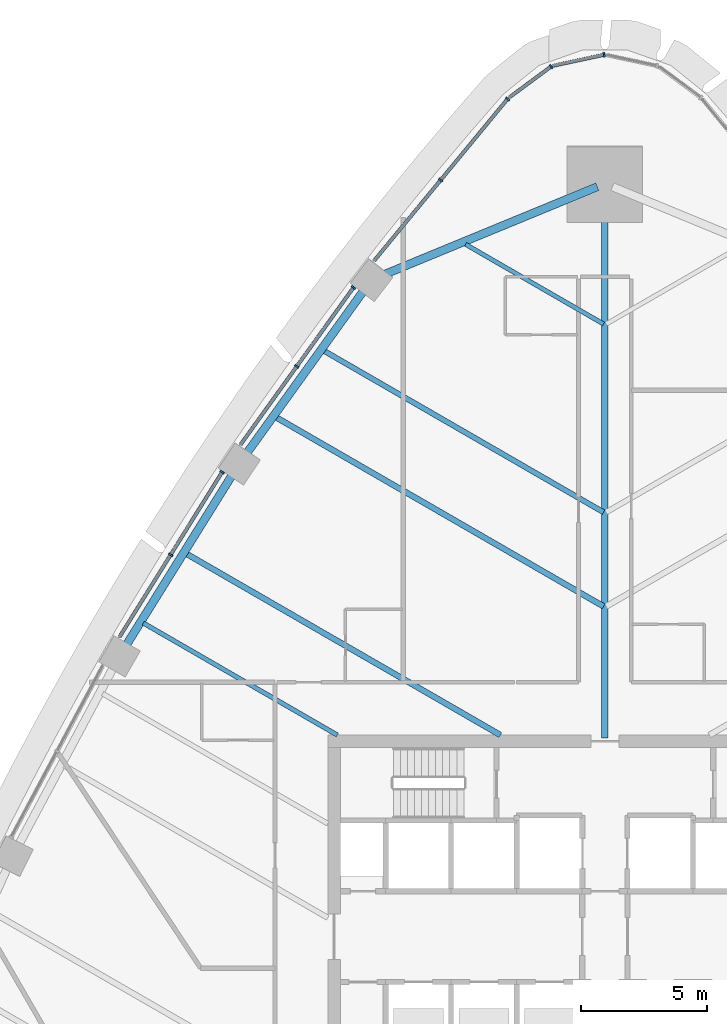
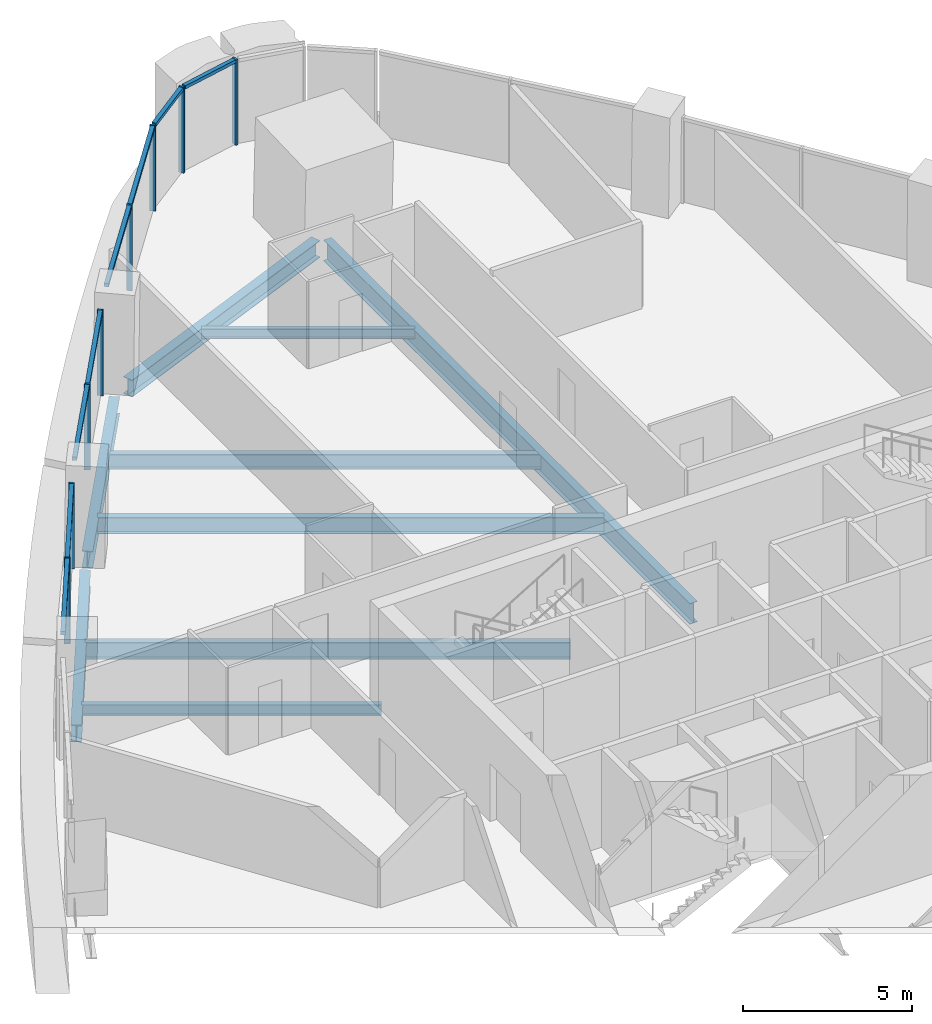
# One storey, part 6 of 17: 16 members, 9 beams, 5 elements without a shape of their own.
"""IFC4 building model written with IfcOpenShell, lengths in metres."""

from ifc_helpers import new_model, si_unit, direction, frame, origin, origin_2d, place, context, subcontext, project, spatial, rectangle, i_section, extrude, material, layer, layer_set, material_profile, profile_set, type_object, element, aggregate, save


model = new_model("IFC4")

# Units and contexts
model_context = context("Model", 3, precision=1e-05, world=origin(), true_north=direction((0.0, 1.0)))
body_context = subcontext(model_context, "Body", "Model", "MODEL_VIEW")
ifc_project = project(units=[si_unit("LENGTHUNIT", "METRE"), si_unit("AREAUNIT", "SQUARE_METRE"), si_unit("VOLUMEUNIT", "CUBIC_METRE"), si_unit("PLANEANGLEUNIT", "RADIAN"), si_unit("MASSUNIT", "GRAM", prefix="KILO")], contexts=[model_context])

# Site, building, storey
site_placement = place(None, origin())
site = spatial("IfcSite", under=ifc_project, at=site_placement, CompositionType="ELEMENT")
building_placement = place(site_placement, origin())
building = spatial("IfcBuilding", under=site, at=building_placement, Name="Sierra Prisma Convention Tower", CompositionType="ELEMENT")
storey_placement = place(building_placement, frame((0.0, 0.0, 92.39990234375)))
storey = spatial("IfcBuildingStorey", under=building, at=storey_placement, Name="L19", CompositionType="ELEMENT", Elevation=92.39990234375)

# Curtain wall, member
ifc_material_1 = material(Name="Aluminium and glass curtain wall", Category="aluminium")
ifc_layer = layer(ifc_material_1, 0.179931640625)
ifc_layer_set = layer_set([ifc_layer], Name="CW-1 Plain shaft curtain wall")
curtain_wall_type = type_object("IfcCurtainWallType", Name="CW-1 Plain shaft curtain wall", PredefinedType="NOTDEFINED", material=ifc_layer_set)
curtain_wall_1_placement = place(storey_placement, origin())
curtain_wall_1 = element("IfcCurtainWall", 1, at=curtain_wall_1_placement, inside=storey, type_object=curtain_wall_type, Name="CW-1 N3 L19", PredefinedType="NOTDEFINED")
ifc_material_2 = material(Name="Aluminium 6063-T6 bronze anodised", Category="aluminium")
ifc_material_profile_1 = material_profile(ifc_material_2, rectangle(XDim=0.179931640625, YDim=0.070068359375, at=origin_2d()), Name="ALU MULLION 70x180")
ifc_profile_set_1 = profile_set([ifc_material_profile_1], Name="Aluminium 6063-T6 bronze anodised")
member_type_1 = type_object("IfcMemberType", Name="CW mullion bronze", PredefinedType="MULLION", material=ifc_profile_set_1)
member_1_placement = place(storey_placement, frame((-0.0341796875, 35.00341796875, 0.0), z_axis=(0.0, 0.0, 1.0), x_axis=(0.210360394745, -0.977623907401, 0.0)))
member_1 = element("IfcMember", 2, at=member_1_placement, type_object=member_type_1, Name="CW-1 mullion N3.1", PredefinedType="MULLION", context=body_context, shape_type="SweptSolid", body=[
    extrude(rectangle(XDim=0.179931640625, YDim=0.070068359375, at=origin_2d()), origin(), (0.0, 0.0, 1.0), 3.10009765625),
])

curtain_wall_2_placement = place(storey_placement, origin())
curtain_wall_2 = element("IfcCurtainWall", 3, at=curtain_wall_2_placement, inside=storey, type_object=curtain_wall_type, Name="CW-1 N4 L19", PredefinedType="NOTDEFINED")
member_2_placement = place(storey_placement, frame((-2.134521484375, 34.53662109375, 0.0), z_axis=(0.0, 0.0, 1.0), x_axis=(0.593846135826, -0.804578626963, 0.0)))
member_2 = element("IfcMember", 4, at=member_2_placement, type_object=member_type_1, Name="CW-1 mullion N4.1", PredefinedType="MULLION", context=body_context, shape_type="SweptSolid", body=[
    extrude(rectangle(XDim=0.179931640625, YDim=0.070068359375, at=origin_2d()), origin(), (0.0, 0.0, 1.0), 3.10009765625),
])

# Curtain wall, members
curtain_wall_3_placement = place(storey_placement, origin())
curtain_wall_3 = element("IfcCurtainWall", 5, at=curtain_wall_3_placement, inside=storey, type_object=curtain_wall_type, Name="CW-1 NW1 L19", PredefinedType="NOTDEFINED")
member_3_placement = place(storey_placement, frame((-3.8623046875, 33.2509765625, 0.0), z_axis=(0.0, 0.0, 1.0), x_axis=(0.771382997346, -0.636371174241, 0.0)))
member_3 = element("IfcMember", 6, at=member_3_placement, type_object=member_type_1, Name="CW-1 mullion NW1.1", PredefinedType="MULLION", context=body_context, shape_type="SweptSolid", body=[
    extrude(rectangle(XDim=0.179931640625, YDim=0.070068359375, at=origin_2d()), origin(), (0.0, 0.0, 1.0), 3.10009765625),
])
member_4_placement = place(storey_placement, frame((-6.520751953125, 30.028564453125, 0.0), z_axis=(0.0, 0.0, 1.0), x_axis=(0.771382997346, -0.636371174241, 0.0)))
member_4 = element("IfcMember", 7, at=member_4_placement, type_object=member_type_1, Name="CW-1 mullion NW1.2", PredefinedType="MULLION", context=body_context, shape_type="SweptSolid", body=[
    extrude(rectangle(XDim=0.179931640625, YDim=0.070068359375, at=origin_2d()), origin(), (0.0, 0.0, 1.0), 3.10009765625),
])

curtain_wall_4_placement = place(storey_placement, origin())
curtain_wall_4 = element("IfcCurtainWall", 8, at=curtain_wall_4_placement, inside=storey, type_object=curtain_wall_type, Name="CW-1 NW2 L19", PredefinedType="NOTDEFINED")
member_5_placement = place(storey_placement, frame((-9.980224609375, 25.76416015625, 0.0), z_axis=(0.0, 0.0, 1.0), x_axis=(0.811950557118, -0.583726213902, 0.0)))
member_5 = element("IfcMember", 9, at=member_5_placement, type_object=member_type_1, Name="CW-1 mullion NW2.1", PredefinedType="MULLION", context=body_context, shape_type="SweptSolid", body=[
    extrude(rectangle(XDim=0.179931640625, YDim=0.070068359375, at=origin_2d()), origin(), (0.0, 0.0, 1.0), 3.10009765625),
])
member_6_placement = place(storey_placement, frame((-12.230224609375, 22.634521484375, 0.0), z_axis=(0.0, 0.0, 1.0), x_axis=(0.811950557118, -0.583726213902, 0.0)))
member_6 = element("IfcMember", 10, at=member_6_placement, type_object=member_type_1, Name="CW-1 mullion NW2.2", PredefinedType="MULLION", context=body_context, shape_type="SweptSolid", body=[
    extrude(rectangle(XDim=0.179931640625, YDim=0.070068359375, at=origin_2d()), origin(), (0.0, 0.0, 1.0), 3.10009765625),
])

curtain_wall_5_placement = place(storey_placement, origin())
curtain_wall_5 = element("IfcCurtainWall", 11, at=curtain_wall_5_placement, inside=storey, type_object=curtain_wall_type, Name="CW-1 NW3 L19", PredefinedType="NOTDEFINED")
member_7_placement = place(storey_placement, frame((-15.193359375, 18.43896484375, 0.0), z_axis=(0.0, 0.0, 1.0), x_axis=(0.84893155366, -0.528502807183, 0.0)))
member_7 = element("IfcMember", 12, at=member_7_placement, type_object=member_type_1, Name="CW-1 mullion NW3.1", PredefinedType="MULLION", context=body_context, shape_type="SweptSolid", body=[
    extrude(rectangle(XDim=0.179931640625, YDim=0.070068359375, at=origin_2d()), origin(), (0.0, 0.0, 1.0), 3.10009765625),
])
member_8_placement = place(storey_placement, frame((-17.239013671875, 15.153076171875, 0.0), z_axis=(0.0, 0.0, 1.0), x_axis=(0.84893155366, -0.528502807183, 0.0)))
member_8 = element("IfcMember", 13, at=member_8_placement, type_object=member_type_1, Name="CW-1 mullion NW3.2", PredefinedType="MULLION", context=body_context, shape_type="SweptSolid", body=[
    extrude(rectangle(XDim=0.179931640625, YDim=0.070068359375, at=origin_2d()), origin(), (0.0, 0.0, 1.0), 3.10009765625),
])

# Member
ifc_material_3 = material(Name="Aluminium 6063-T6 bronze anodised", Category="aluminium")
ifc_material_profile_2 = material_profile(ifc_material_3, rectangle(XDim=0.139892578125, YDim=0.1201171875, at=origin_2d()), Name="ALU TRANSOM 120x140")
ifc_profile_set_2 = profile_set([ifc_material_profile_2], Name="Aluminium 6063-T6 bronze anodised")
member_type_2 = type_object("IfcMemberType", Name="CW transom bronze", PredefinedType="USERDEFINED", material=ifc_profile_set_2)
member_9_placement = place(storey_placement, frame((-0.068359375, 34.99609375, 3.0400390625), z_axis=(-0.977624737389, -0.210356537445, 0.0), x_axis=(0.210356537445, -0.977624737389, 0.0)))
member_9 = element("IfcMember", 14, at=member_9_placement, type_object=member_type_2, Name="CW-1 transom N3.1", ObjectType="TRANSOM", PredefinedType="USERDEFINED", context=body_context, shape_type="SweptSolid", body=[
    extrude(rectangle(XDim=0.139892578125, YDim=0.1201171875, at=origin_2d()), origin(), (0.0, 0.0, 1.0), 2.014892578125),
])

aggregate(curtain_wall_1, [member_1, member_9])

member_10_placement = place(storey_placement, frame((-2.162841796875, 34.515869140625, 3.0400390625), z_axis=(-0.804586487581, -0.593835485637, 0.0), x_axis=(0.593835485637, -0.804586487581, 0.0)))
member_10 = element("IfcMember", 15, at=member_10_placement, type_object=member_type_2, Name="CW-1 transom N4.1", ObjectType="TRANSOM", PredefinedType="USERDEFINED", context=body_context, shape_type="SweptSolid", body=[
    extrude(rectangle(XDim=0.139892578125, YDim=0.1201171875, at=origin_2d()), origin(), (0.0, 0.0, 1.0), 2.014404296875),
])

aggregate(curtain_wall_2, [member_2, member_10])

member_11_placement = place(storey_placement, frame((-3.884521484375, 33.223876953125, 3.0400390625), z_axis=(-0.636382070576, -0.77137400802, 0.0), x_axis=(0.77137400802, -0.636382070576, 0.0)))
member_11 = element("IfcMember", 16, at=member_11_placement, type_object=member_type_2, Name="CW-1 transom NW1.1", ObjectType="TRANSOM", PredefinedType="USERDEFINED", context=body_context, shape_type="SweptSolid", body=[
    extrude(rectangle(XDim=0.139892578125, YDim=0.1201171875, at=origin_2d()), origin(), (0.0, 0.0, 1.0), 4.107177734375),
])

member_12_placement = place(storey_placement, frame((-6.54296875, 30.001708984375, 3.0400390625), z_axis=(-0.636382070576, -0.77137400802, 0.0), x_axis=(0.77137400802, -0.636382070576, 0.0)))
member_12 = element("IfcMember", 17, at=member_12_placement, type_object=member_type_2, Name="CW-1 transom NW1.2", ObjectType="TRANSOM", PredefinedType="USERDEFINED", context=body_context, shape_type="SweptSolid", body=[
    extrude(rectangle(XDim=0.139892578125, YDim=0.1201171875, at=origin_2d()), origin(), (0.0, 0.0, 1.0), 4.107177734375),
])

aggregate(curtain_wall_3, [member_3, member_4, member_11, member_12])

member_13_placement = place(storey_placement, frame((-10.00048828125, 25.73583984375, 3.0400390625), z_axis=(-0.583725100216, -0.811951357766, 0.0), x_axis=(0.811951357766, -0.583725100216, 0.0)))
member_13 = element("IfcMember", 18, at=member_13_placement, type_object=member_type_2, Name="CW-1 transom NW2.1", ObjectType="TRANSOM", PredefinedType="USERDEFINED", context=body_context, shape_type="SweptSolid", body=[
    extrude(rectangle(XDim=0.139892578125, YDim=0.1201171875, at=origin_2d()), origin(), (0.0, 0.0, 1.0), 3.78466796875),
])

member_14_placement = place(storey_placement, frame((-12.250732421875, 22.60595703125, 3.0400390625), z_axis=(-0.583713145348, -0.811959952182, 0.0), x_axis=(0.811959952182, -0.583713145348, 0.0)))
member_14 = element("IfcMember", 19, at=member_14_placement, type_object=member_type_2, Name="CW-1 transom NW2.2", ObjectType="TRANSOM", PredefinedType="USERDEFINED", context=body_context, shape_type="SweptSolid", body=[
    extrude(rectangle(XDim=0.139892578125, YDim=0.1201171875, at=origin_2d()), origin(), (0.0, 0.0, 1.0), 3.784423828125),
])

aggregate(curtain_wall_4, [member_5, member_6, member_13, member_14])

member_15_placement = place(storey_placement, frame((-15.2119140625, 18.409423828125, 3.0400390625), z_axis=(-0.52849120481, -0.848938776614, 0.0), x_axis=(0.848938776614, -0.52849120481, 0.0)))
member_15 = element("IfcMember", 20, at=member_15_placement, type_object=member_type_2, Name="CW-1 transom NW3.1", ObjectType="TRANSOM", PredefinedType="USERDEFINED", context=body_context, shape_type="SweptSolid", body=[
    extrude(rectangle(XDim=0.139892578125, YDim=0.1201171875, at=origin_2d()), origin(), (0.0, 0.0, 1.0), 3.801025390625),
])

member_16_placement = place(storey_placement, frame((-17.257568359375, 15.123291015625, 3.0400390625), z_axis=(-0.528520023664, -0.848920835288, 0.0), x_axis=(0.848920835288, -0.528520023664, 0.0)))
member_16 = element("IfcMember", 21, at=member_16_placement, type_object=member_type_2, Name="CW-1 transom NW3.2", ObjectType="TRANSOM", PredefinedType="USERDEFINED", context=body_context, shape_type="SweptSolid", body=[
    extrude(rectangle(XDim=0.139892578125, YDim=0.1201171875, at=origin_2d()), origin(), (0.0, 0.0, 1.0), 3.80078125),
])

aggregate(curtain_wall_5, [member_7, member_8, member_15, member_16])

# Beams
ifc_material_4 = material(Name="Steel ASTM A992 Gr 50", Category="steel")
ifc_material_profile_3 = material_profile(ifc_material_4, i_section(OverallWidth=0.172119140625, OverallDepth=0.35791015625, WebThickness=0.0078125, FlangeThickness=0.01318359375, at=origin_2d()), Name="W360x57")
ifc_profile_set_3 = profile_set([ifc_material_profile_3], Name="Steel ASTM A992 Gr 50")
beam_type_1 = type_object("IfcBeamType", Name="Floor joist W360x57", PredefinedType="JOIST", material=ifc_profile_set_3)
beam_1_placement = place(storey_placement, frame((-5.53076171875, 27.478271484375, -0.328857421875), z_axis=(0.866025537322, -0.499999768706, 0.0), x_axis=(0.499999768706, 0.866025537322, 0.0)))
element("IfcBeam", 22, at=beam_1_placement, inside=storey, type_object=beam_type_1, Name="Floor joist L19 NW02", PredefinedType="JOIST", context=body_context, shape_type="SweptSolid", body=[
    extrude(i_section(OverallWidth=0.172119140625, OverallDepth=0.35791015625, WebThickness=0.0078125, FlangeThickness=0.01318359375, at=origin_2d()), origin(), (0.0, 0.0, 1.0), 6.3251953125),
])
ifc_material_5 = material(Name="Steel ASTM A992 Gr 50", Category="steel")
ifc_material_profile_4 = material_profile(ifc_material_5, i_section(OverallWidth=0.177978515625, OverallDepth=0.406982421875, WebThickness=0.0078125, FlangeThickness=0.0126953125, at=origin_2d()), Name="W410x60")
ifc_profile_set_4 = profile_set([ifc_material_profile_4], Name="Steel ASTM A992 Gr 50")
beam_type_2 = type_object("IfcBeamType", Name="Floor joist W410x60", PredefinedType="JOIST", material=ifc_profile_set_4)
beam_2_placement = place(storey_placement, frame((-18.321044921875, 12.44580078125, -0.353515625), z_axis=(0.866020974757, -0.500007671222, 0.0), x_axis=(0.500007671222, 0.866020974757, 0.0)))
element("IfcBeam", 23, at=beam_2_placement, inside=storey, type_object=beam_type_2, Name="Floor joist L19 NW08", PredefinedType="JOIST", context=body_context, shape_type="SweptSolid", body=[
    extrude(i_section(OverallWidth=0.177978515625, OverallDepth=0.406982421875, WebThickness=0.0078125, FlangeThickness=0.0126953125, at=origin_2d()), origin(), (0.0, 0.0, 1.0), 8.891357421875),
])
ifc_material_6 = material(Name="Steel ASTM A992 Gr 50", Category="steel")
ifc_material_profile_5 = material_profile(ifc_material_6, i_section(OverallWidth=0.208984375, OverallDepth=0.532958984375, WebThickness=0.01025390625, FlangeThickness=0.015625, at=origin_2d()), Name="W530x92")
ifc_profile_set_5 = profile_set([ifc_material_profile_5], Name="Steel ASTM A992 Gr 50")
beam_type_3 = type_object("IfcBeamType", Name="Floor joist W530x92", PredefinedType="JOIST", material=ifc_profile_set_5)
beam_3_placement = place(storey_placement, frame((-11.154541015625, 23.252685546875, -0.41650390625), z_axis=(0.866027642307, -0.499996122745, 0.0), x_axis=(0.499996122745, 0.866027642307, 0.0)))
element("IfcBeam", 24, at=beam_3_placement, inside=storey, type_object=beam_type_3, Name="Floor joist L19 NW04", PredefinedType="JOIST", context=body_context, shape_type="SweptSolid", body=[
    extrude(i_section(OverallWidth=0.208984375, OverallDepth=0.532958984375, WebThickness=0.01025390625, FlangeThickness=0.015625, at=origin_2d()), origin(), (0.0, 0.0, 1.0), 12.81884765625),
])
ifc_material_7 = material(Name="Steel ASTM A992 Gr 50", Category="steel")
ifc_material_profile_6 = material_profile(ifc_material_7, i_section(OverallWidth=0.22802734375, OverallDepth=0.60302734375, WebThickness=0.010498046875, FlangeThickness=0.014892578125, at=origin_2d()), Name="W610x101")
ifc_profile_set_6 = profile_set([ifc_material_profile_6], Name="Steel ASTM A992 Gr 50")
beam_type_4 = type_object("IfcBeamType", Name="Floor joist W610x101", PredefinedType="JOIST", material=ifc_profile_set_6)
beam_4_placement = place(storey_placement, frame((-13.052490234375, 20.612548828125, -0.451416015625), z_axis=(0.866022533376, -0.500004971661, 0.0), x_axis=(0.500004971661, 0.866022533376, 0.0)))
element("IfcBeam", 25, at=beam_4_placement, inside=storey, type_object=beam_type_4, Name="Floor joist L19 NW05", PredefinedType="JOIST", context=body_context, shape_type="SweptSolid", body=[
    extrude(i_section(OverallWidth=0.22802734375, OverallDepth=0.60302734375, WebThickness=0.010498046875, FlangeThickness=0.014892578125, at=origin_2d()), origin(), (0.0, 0.0, 1.0), 15.010498046875),
])
beam_5_placement = place(storey_placement, frame((-16.610107421875, 15.194091796875, -0.451416015625), z_axis=(0.866023956618, -0.500002506557, 0.0), x_axis=(0.500002506557, 0.866023956618, 0.0)))
element("IfcBeam", 26, at=beam_5_placement, inside=storey, type_object=beam_type_4, Name="Floor joist L19 NW07", PredefinedType="JOIST", context=body_context, shape_type="SweptSolid", body=[
    extrude(i_section(OverallWidth=0.22802734375, OverallDepth=0.60302734375, WebThickness=0.010498046875, FlangeThickness=0.014892578125, at=origin_2d()), origin(), (0.0, 0.0, 1.0), 14.38818359375),
])
ifc_material_8 = material(Name="Steel ASTM A992 Gr 50", Category="steel")
ifc_material_profile_7 = material_profile(ifc_material_8, i_section(OverallWidth=0.264892578125, OverallDepth=0.7529296875, WebThickness=0.01318359375, FlangeThickness=0.01708984375, at=origin_2d()), Name="W760x147")
ifc_profile_set_7 = profile_set([ifc_material_profile_7], Name="Steel ASTM A992 Gr 50")
beam_type_5 = type_object("IfcBeamType", Name="Radial girder W760x147", PredefinedType="BEAM", material=ifc_profile_set_7)
beam_6_placement = place(storey_placement, frame((0.0, 29.58935546875, -0.5263671875), z_axis=(0.0, -1.0, 0.0), x_axis=(1.0, 0.0, 0.0)))
element("IfcBeam", 27, at=beam_6_placement, inside=storey, type_object=beam_type_5, Name="Radial girder L19 N", PredefinedType="BEAM", context=body_context, shape_type="SweptSolid", body=[
    extrude(i_section(OverallWidth=0.264892578125, OverallDepth=0.7529296875, WebThickness=0.01318359375, FlangeThickness=0.01708984375, at=origin_2d()), origin(), (0.0, 0.0, 1.0), 21.70947265625),
])
ifc_material_9 = material(Name="Steel ASTM A992 Gr 50", Category="steel")
ifc_material_profile_8 = material_profile(ifc_material_9, i_section(OverallWidth=0.324951171875, OverallDepth=0.615966796875, WebThickness=0.013916015625, FlangeThickness=0.021484375, at=origin_2d()), Name="W610x174")
ifc_profile_set_8 = profile_set([ifc_material_profile_8], Name="Steel ASTM A992 Gr 50")
beam_type_6 = type_object("IfcBeamType", Name="Spandrel beam W610x174", PredefinedType="BEAM", material=ifc_profile_set_8)
beam_7_placement = place(storey_placement, frame((-0.300048828125, 29.765869140625, -0.4580078125), z_axis=(-0.924621011385, -0.38088841582, 0.0), x_axis=(0.38088841582, -0.924621011385, 0.0)))
element("IfcBeam", 28, at=beam_7_placement, inside=storey, type_object=beam_type_6, Name="Spandrel L19-13", PredefinedType="BEAM", context=body_context, shape_type="SweptSolid", body=[
    extrude(i_section(OverallWidth=0.324951171875, OverallDepth=0.615966796875, WebThickness=0.013916015625, FlangeThickness=0.021484375, at=origin_2d()), origin(), (0.0, 0.0, 1.0), 9.124267578125),
])
for number, where, z_axis, x_axis, name in (
    (29, (-9.546630859375, 25.682373046875, -0.4580078125), (-0.583732433041, -0.811946086028, 0.0), (0.811946086028, -0.583732433041, 0.0), "Spandrel L19-14"),
    (30, (-14.7724609375, 18.358642578125, -0.4580078125), (-0.528515498345, -0.848923652638, 0.0), (0.848923652638, -0.528515498345, 0.0), "Spandrel L19-15"),
):
    element("IfcBeam", number, at=place(storey_placement, frame(where, z_axis=z_axis, x_axis=x_axis)), inside=storey, type_object=beam_type_6, Name=name, PredefinedType="BEAM", context=body_context, shape_type="SweptSolid", body=[
        extrude(i_section(OverallWidth=0.324951171875, OverallDepth=0.615966796875, WebThickness=0.013916015625, FlangeThickness=0.021484375, at=origin_2d()), origin(), (0.0, 0.0, 1.0), 8.037353515625),
    ])

save(model, "model.ifc")
